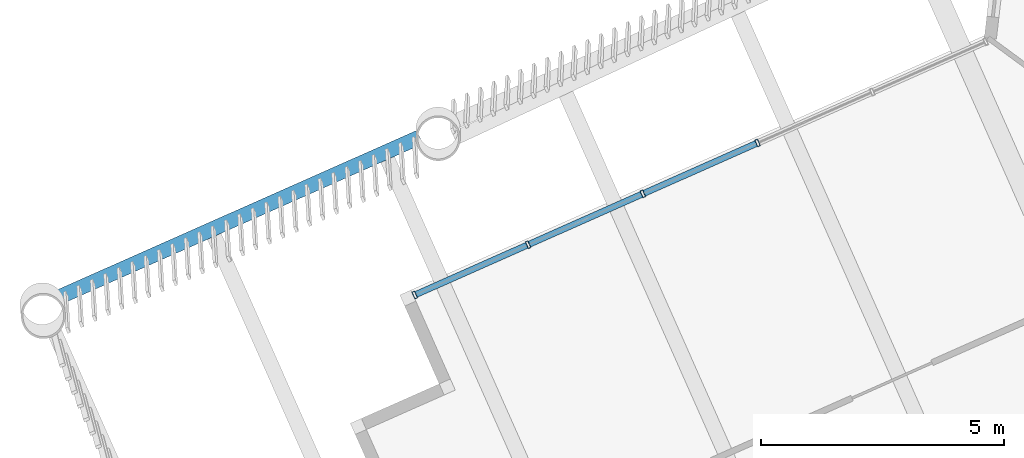
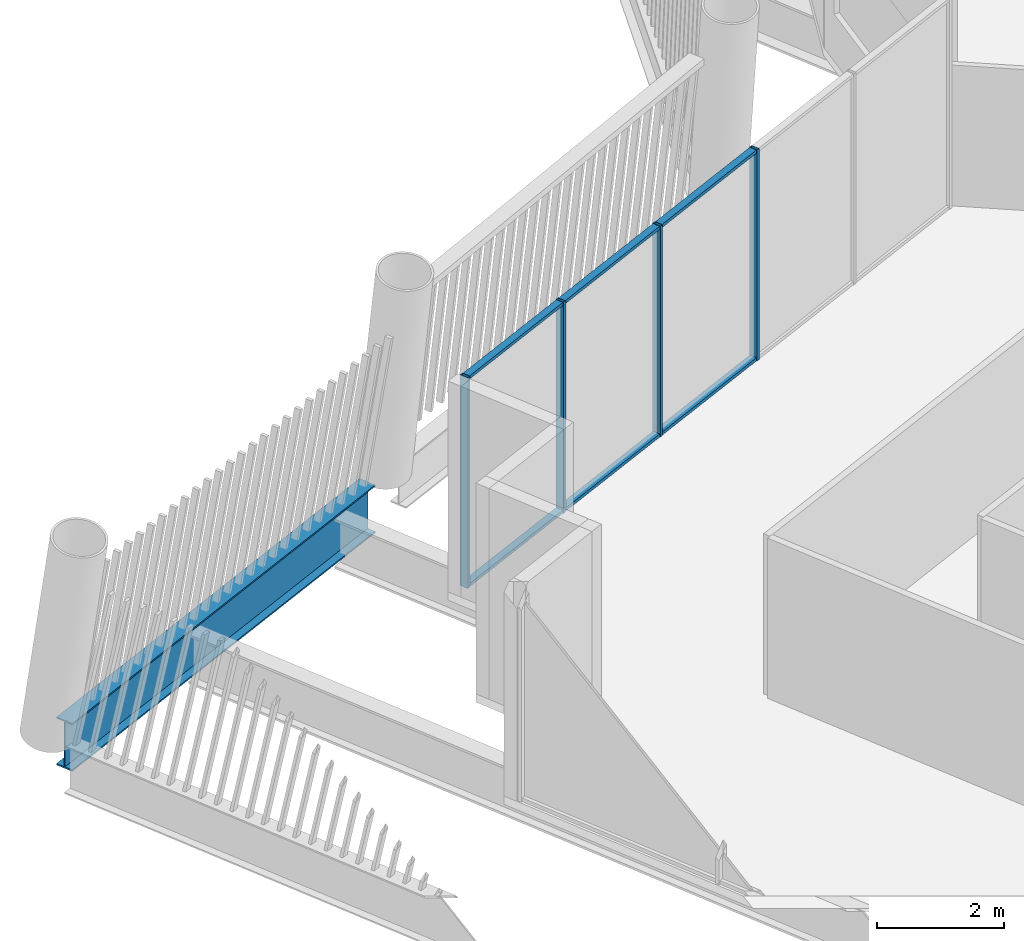
# One storey, part 12 of 28: 10 members, 1 beam, 1 element without a shape of its own.
"""IFC4 building model written with IfcOpenShell, lengths in metres."""

from ifc_helpers import new_model, si_unit, direction, frame, origin, origin_2d, place, context, subcontext, project, spatial, hollow_rectangle, i_section, extrude, material, layer, layer_set, material_profile, profile_set, type_object, element, aggregate, save


model = new_model("IFC4")

# Units and contexts
model_context = context("Model", 3, precision=1e-05, world=origin(), true_north=direction((0.0, 1.0)))
body_context = subcontext(model_context, "Body", "Model", "MODEL_VIEW")
ifc_project = project(units=[si_unit("LENGTHUNIT", "METRE"), si_unit("AREAUNIT", "SQUARE_METRE"), si_unit("VOLUMEUNIT", "CUBIC_METRE"), si_unit("PLANEANGLEUNIT", "RADIAN"), si_unit("MASSUNIT", "GRAM", prefix="KILO")], contexts=[model_context])

# Site, building, storey
site_placement = place(None, origin())
site = spatial("IfcSite", under=ifc_project, at=site_placement, CompositionType="ELEMENT")
building_placement = place(site_placement, origin())
building = spatial("IfcBuilding", under=site, at=building_placement, Name="Tarsis Ring Headquarters", CompositionType="ELEMENT")
storey_placement = place(building_placement, frame((0.0, 0.0, 381.800048828125)))
storey = spatial("IfcBuildingStorey", under=building, at=storey_placement, Name="L90", CompositionType="ELEMENT", Elevation=381.800048828125)

# Curtain wall, members
ifc_material_1 = material(Name="Aluminium curtain wall", Category="aluminium")
ifc_layer = layer(ifc_material_1, 0.14990234375)
ifc_layer_set = layer_set([ifc_layer], Name="Curtain wall tower unit")
curtain_wall_type = type_object("IfcCurtainWallType", Name="Curtain wall tower unit", PredefinedType="NOTDEFINED", material=ifc_layer_set)
curtain_wall_placement = place(storey_placement, origin())
curtain_wall = element("IfcCurtainWall", 1, at=curtain_wall_placement, inside=storey, type_object=curtain_wall_type, Name="Curtain wall L90-31", PredefinedType="NOTDEFINED")
ifc_material_2 = material(Name="Aluminium mullion", Category="aluminium")
ifc_material_profile_1 = material_profile(ifc_material_2, hollow_rectangle(XDim=0.14990234375, YDim=0.06005859375, WallThickness=0.0048828125, at=origin_2d()), Name="RHS 150x60x5")
ifc_profile_set_1 = profile_set([ifc_material_profile_1], Name="Aluminium mullion")
member_type_1 = type_object("IfcMemberType", Name="Curtain wall mullion tower unit RHS 150x60x5", PredefinedType="MULLION", material=ifc_profile_set_1)
member_1_placement = place(storey_placement, frame((-30.41845703125, -0.50146484375, 0.0), z_axis=(0.0, 0.0, 1.0), x_axis=(0.405460671558, -0.914112489697, 0.0)))
member_1 = element("IfcMember", 2, at=member_1_placement, type_object=member_type_1, Name="CW-T mullion 3", PredefinedType="MULLION", context=body_context, shape_type="SweptSolid", body=[
    extrude(hollow_rectangle(XDim=0.14990234375, YDim=0.06005859375, WallThickness=0.0048828125, at=origin_2d()), origin(), (0.0, 0.0, 1.0), 4.0400390625),
])
member_2_placement = place(storey_placement, frame((-32.777099609375, -1.5478515625, 0.0), z_axis=(0.0, 0.0, 1.0), x_axis=(0.405460671558, -0.914112489697, 0.0)))
member_2 = element("IfcMember", 3, at=member_2_placement, type_object=member_type_1, Name="CW-T mullion 4", PredefinedType="MULLION", context=body_context, shape_type="SweptSolid", body=[
    extrude(hollow_rectangle(XDim=0.14990234375, YDim=0.06005859375, WallThickness=0.0048828125, at=origin_2d()), origin(), (0.0, 0.0, 1.0), 4.0400390625),
])
member_3_placement = place(storey_placement, frame((-35.1357421875, -2.593994140625, 0.0), z_axis=(0.0, 0.0, 1.0), x_axis=(0.405460671558, -0.914112489697, 0.0)))
member_3 = element("IfcMember", 4, at=member_3_placement, type_object=member_type_1, Name="CW-T mullion 5", PredefinedType="MULLION", context=body_context, shape_type="SweptSolid", body=[
    extrude(hollow_rectangle(XDim=0.14990234375, YDim=0.06005859375, WallThickness=0.0048828125, at=origin_2d()), origin(), (0.0, 0.0, 1.0), 4.0400390625),
])
member_4_placement = place(storey_placement, frame((-37.467041015625, -3.6279296875, 0.0), z_axis=(0.0, 0.0, 1.0), x_axis=(0.405460671558, -0.914112489697, 0.0)))
member_4 = element("IfcMember", 5, at=member_4_placement, type_object=member_type_1, Name="CW-T mullion 6", PredefinedType="MULLION", context=body_context, shape_type="SweptSolid", body=[
    extrude(hollow_rectangle(XDim=0.14990234375, YDim=0.06005859375, WallThickness=0.0048828125, at=origin_2d()), origin(), (0.0, 0.0, 1.0), 4.0400390625),
])
ifc_material_3 = material(Name="Aluminium transom", Category="aluminium")
ifc_material_profile_2 = material_profile(ifc_material_3, hollow_rectangle(XDim=0.1298828125, YDim=0.06005859375, WallThickness=0.0048828125, at=origin_2d()), Name="RHS 130x60x5")
ifc_profile_set_2 = profile_set([ifc_material_profile_2], Name="Aluminium transom")
member_type_2 = type_object("IfcMemberType", Name="Curtain wall transom tower unit RHS 130x60x5", PredefinedType="USERDEFINED", material=ifc_profile_set_2)
member_5_placement = place(storey_placement, frame((-30.44580078125, -0.513671875, 0.030029296875), z_axis=(-0.914106892022, -0.405473291301, 0.0), x_axis=(0.405473291301, -0.914106892022, 0.0)))
member_5 = element("IfcMember", 6, at=member_5_placement, type_object=member_type_2, Name="CW-T transom 3.1", ObjectType="TRANSOM", PredefinedType="USERDEFINED", context=body_context, shape_type="SweptSolid", body=[
    extrude(hollow_rectangle(XDim=0.1298828125, YDim=0.06005859375, WallThickness=0.0048828125, at=origin_2d()), origin(), (0.0, 0.0, 1.0), 2.5205078125),
])
member_6_placement = place(storey_placement, frame((-30.44580078125, -0.513671875, 4.010009765625), z_axis=(-0.914106892022, -0.405473291301, 0.0), x_axis=(0.405473291301, -0.914106892022, 0.0)))
member_6 = element("IfcMember", 7, at=member_6_placement, type_object=member_type_2, Name="CW-T transom 3.2", ObjectType="TRANSOM", PredefinedType="USERDEFINED", context=body_context, shape_type="SweptSolid", body=[
    extrude(hollow_rectangle(XDim=0.1298828125, YDim=0.06005859375, WallThickness=0.0048828125, at=origin_2d()), origin(), (0.0, 0.0, 1.0), 2.5205078125),
])
member_7_placement = place(storey_placement, frame((-32.804443359375, -1.559814453125, 0.030029296875), z_axis=(-0.914106892022, -0.405473291301, 0.0), x_axis=(0.405473291301, -0.914106892022, 0.0)))
member_7 = element("IfcMember", 8, at=member_7_placement, type_object=member_type_2, Name="CW-T transom 4.1", ObjectType="TRANSOM", PredefinedType="USERDEFINED", context=body_context, shape_type="SweptSolid", body=[
    extrude(hollow_rectangle(XDim=0.1298828125, YDim=0.06005859375, WallThickness=0.0048828125, at=origin_2d()), origin(), (0.0, 0.0, 1.0), 2.5205078125),
])
member_8_placement = place(storey_placement, frame((-32.804443359375, -1.559814453125, 4.010009765625), z_axis=(-0.914106892022, -0.405473291301, 0.0), x_axis=(0.405473291301, -0.914106892022, 0.0)))
member_8 = element("IfcMember", 9, at=member_8_placement, type_object=member_type_2, Name="CW-T transom 4.2", ObjectType="TRANSOM", PredefinedType="USERDEFINED", context=body_context, shape_type="SweptSolid", body=[
    extrude(hollow_rectangle(XDim=0.1298828125, YDim=0.06005859375, WallThickness=0.0048828125, at=origin_2d()), origin(), (0.0, 0.0, 1.0), 2.5205078125),
])
member_9_placement = place(storey_placement, frame((-35.1630859375, -2.606201171875, 0.030029296875), z_axis=(-0.914138730307, -0.405401506845, 0.0), x_axis=(0.405401506845, -0.914138730307, 0.0)))
member_9 = element("IfcMember", 10, at=member_9_placement, type_object=member_type_2, Name="CW-T transom 5.1", ObjectType="TRANSOM", PredefinedType="USERDEFINED", context=body_context, shape_type="SweptSolid", body=[
    extrude(hollow_rectangle(XDim=0.1298828125, YDim=0.06005859375, WallThickness=0.0048828125, at=origin_2d()), origin(), (0.0, 0.0, 1.0), 2.490234375),
])
member_10_placement = place(storey_placement, frame((-35.1630859375, -2.606201171875, 4.010009765625), z_axis=(-0.914138730307, -0.405401506845, 0.0), x_axis=(0.405401506845, -0.914138730307, 0.0)))
member_10 = element("IfcMember", 11, at=member_10_placement, type_object=member_type_2, Name="CW-T transom 5.2", ObjectType="TRANSOM", PredefinedType="USERDEFINED", context=body_context, shape_type="SweptSolid", body=[
    extrude(hollow_rectangle(XDim=0.1298828125, YDim=0.06005859375, WallThickness=0.0048828125, at=origin_2d()), origin(), (0.0, 0.0, 1.0), 2.490234375),
])
aggregate(curtain_wall, [member_1, member_2, member_3, member_4, member_5, member_6, member_7, member_8, member_9, member_10])

# Beam
ifc_material_4 = material(Name="Structural steel S355", Category="steel")
ifc_material_profile_3 = material_profile(ifc_material_4, i_section(OverallWidth=0.3046875, OverallDepth=0.91943359375, WebThickness=0.017333984375, FlangeThickness=0.02783203125, at=origin_2d()), Name="W36x170")
ifc_profile_set_3 = profile_set([ifc_material_profile_3], Name="Structural steel S355")
beam_type = type_object("IfcBeamType", Name="XG Ring girder W36x170", PredefinedType="BEAM", material=ifc_profile_set_3)
beam_placement = place(storey_placement, frame((-37.36328125, -0.382080078125, -0.459716796875), z_axis=(-0.914112849766, -0.405459859779, 0.0), x_axis=(0.405459859779, -0.914112849766, 0.0)))
element("IfcBeam", 12, at=beam_placement, inside=storey, type_object=beam_type, Name="Ring girder XG4", PredefinedType="BEAM", context=body_context, shape_type="SweptSolid", body=[
    extrude(i_section(OverallWidth=0.3046875, OverallDepth=0.91943359375, WebThickness=0.017333984375, FlangeThickness=0.02783203125, at=origin_2d()), origin(), (0.0, 0.0, 1.0), 8.079345703125),
])

save(model, "model.ifc")
